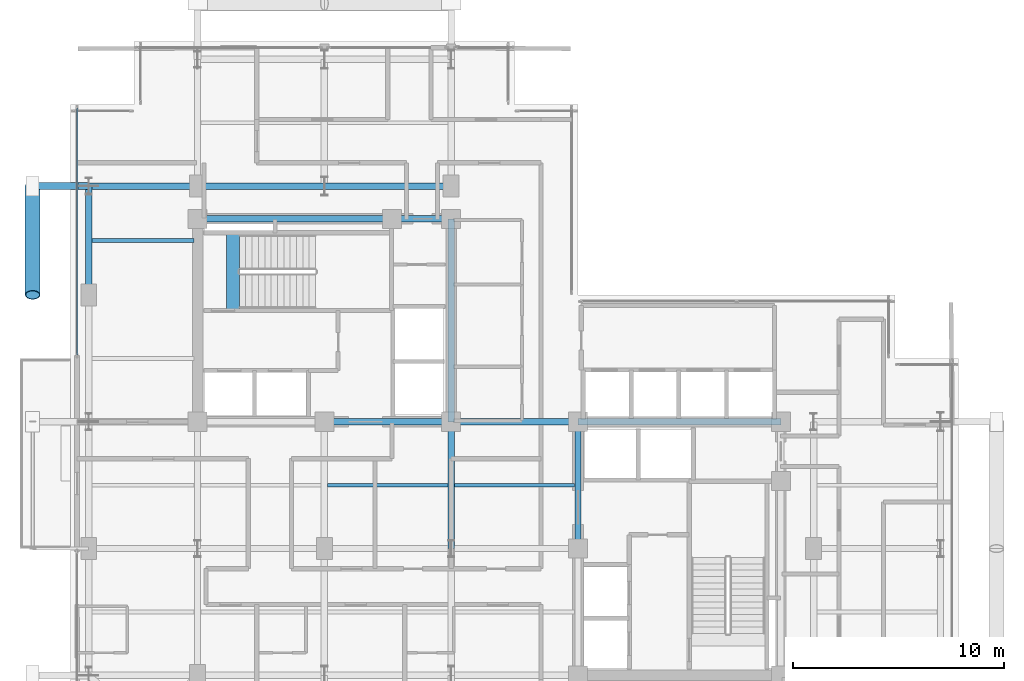
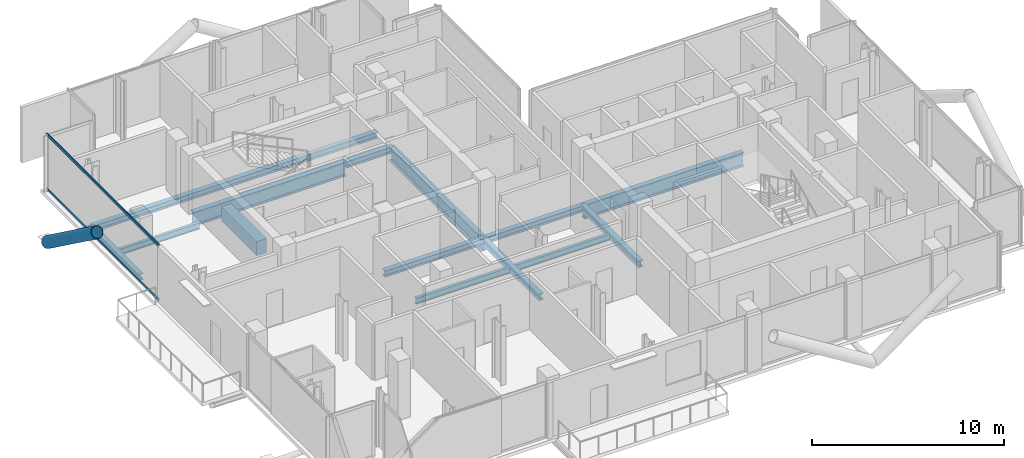
# One storey, part 8 of 22: 16 beams, 4 members, 1 element without a shape of its own.
"""IFC4 building model written with IfcOpenShell, lengths in metres."""

from ifc_helpers import new_model, si_unit, direction, frame, origin, origin_2d, place, context, subcontext, project, spatial, rectangle, hollow_rectangle, hollow_circle, i_section, extrude, material, layer, layer_set, material_profile, profile_set, type_object, element, aggregate, save


model = new_model("IFC4")

# Units and contexts
model_context = context("Model", 3, precision=1e-05, world=origin(), true_north=direction((0.0, 1.0)))
body_context = subcontext(model_context, "Body", "Model", "MODEL_VIEW")
ifc_project = project(units=[si_unit("LENGTHUNIT", "METRE"), si_unit("AREAUNIT", "SQUARE_METRE"), si_unit("VOLUMEUNIT", "CUBIC_METRE"), si_unit("PLANEANGLEUNIT", "RADIAN"), si_unit("MASSUNIT", "GRAM", prefix="KILO"), si_unit("THERMODYNAMICTEMPERATUREUNIT", "KELVIN"), si_unit("POWERUNIT", "WATT")], contexts=[model_context])

# Site, building, storey
site_placement = place(None, origin())
site = spatial("IfcSite", under=ifc_project, at=site_placement, CompositionType="ELEMENT")
building_placement = place(site_placement, origin())
building = spatial("IfcBuilding", under=site, at=building_placement, Name="Svarakhadi Broadcast Tower", CompositionType="ELEMENT")
storey_placement = place(building_placement, frame((0.0, 0.0, 172.949951171875)))
storey = spatial("IfcBuildingStorey", under=building, at=storey_placement, Name="L42", CompositionType="ELEMENT", Elevation=172.949951171875)

# Beams
ifc_material_1 = material(Name="Steel S355J2 (IS 2062 E350C)", Category="steel")
ifc_material_profile_1 = material_profile(ifc_material_1, i_section(OverallWidth=0.179931640625, OverallDepth=0.39990234375, WebThickness=0.008544921875, FlangeThickness=0.013427734375, FilletRadius=0.02099609375, at=origin_2d()), Name="NPB 400x180x66")
ifc_profile_set_1 = profile_set([ifc_material_profile_1], Name="Steel S355J2 (IS 2062 E350C)")
beam_type_1 = type_object("IfcBeamType", Name="Beam_NPB400", PredefinedType="BEAM", material=ifc_profile_set_1)
beam_1_placement = place(storey_placement, frame((1.010009765625, 26.574951171875, -0.409912109375), z_axis=(1.0, 0.0, 0.0), x_axis=(0.0, 1.0, 0.0)))
element("IfcBeam", 1, at=beam_1_placement, inside=storey, type_object=beam_type_1, Name="L42 Secondary Composite Beam SB004", PredefinedType="BEAM", context=body_context, shape_type="SweptSolid", body=[
    extrude(i_section(OverallWidth=0.179931640625, OverallDepth=0.39990234375, WebThickness=0.008544921875, FlangeThickness=0.013427734375, FilletRadius=0.02099609375, at=origin_2d()), origin(), (0.0, 0.0, 1.0), 4.830078125),
])
for number, where, z_axis, x_axis, name in (
    (2, (12.159912109375, 15.0, -0.409912109375), (1.0, 0.0, 0.0), (0.0, 1.0, 0.0), "L42 Secondary Composite Beam SB011"),
    (3, (18.159912109375, 15.0, -0.409912109375), (1.0, 0.0, 0.0), (0.0, 1.0, 0.0), "L42 Secondary Composite Beam SB015"),
):
    element("IfcBeam", number, at=place(storey_placement, frame(where, z_axis=z_axis, x_axis=x_axis)), inside=storey, type_object=beam_type_1, Name=name, PredefinedType="BEAM", context=body_context, shape_type="SweptSolid", body=[
        extrude(i_section(OverallWidth=0.179931640625, OverallDepth=0.39990234375, WebThickness=0.008544921875, FlangeThickness=0.013427734375, FilletRadius=0.02099609375, at=origin_2d()), origin(), (0.0, 0.0, 1.0), 5.68017578125),
    ])

# Curtain wall, members
ifc_material_2 = material(Name="Anodised Bronze Aluminium AA 6063-T6", Category="aluminium")
ifc_layer = layer(ifc_material_2, 0.18994140625)
ifc_layer_set = layer_set([ifc_layer], Name="Anodised Bronze Aluminium AA 6063-T6")
curtain_wall_type = type_object("IfcCurtainWallType", Name="CW_Sys_04", PredefinedType="NOTDEFINED", material=ifc_layer_set)
curtain_wall_placement = place(storey_placement, origin())
curtain_wall = element("IfcCurtainWall", 4, at=curtain_wall_placement, inside=storey, type_object=curtain_wall_type, Name="L42 West Curtain Wall 03", PredefinedType="NOTDEFINED")
ifc_material_profile_2 = material_profile(ifc_material_2, hollow_rectangle(XDim=0.06494140625, YDim=0.175048828125, WallThickness=0.0048828125, at=origin_2d()), Name="ALU TRANSOM 175x65x5")
ifc_profile_set_2 = profile_set([ifc_material_profile_2], Name="Anodised Bronze Aluminium AA 6063-T6")
member_type_1 = type_object("IfcMemberType", Name="CW_Sys_04_Trn", PredefinedType="USERDEFINED", material=ifc_profile_set_2)
member_1_placement = place(storey_placement, frame((0.300048828125, 21.159912109375, 0.032470703125), z_axis=(0.0, 1.0, 0.0), x_axis=(-1.0, 0.0, 0.0)))
member_1 = element("IfcMember", 5, at=member_1_placement, type_object=member_type_1, Name="CW-04 transom 1.1", ObjectType="TRANSOM", PredefinedType="USERDEFINED", context=body_context, shape_type="SweptSolid", body=[
    extrude(hollow_rectangle(XDim=0.06494140625, YDim=0.175048828125, WallThickness=0.0048828125, at=origin_2d()), origin(), (0.0, 0.0, 1.0), 11.68017578125),
])
member_2_placement = place(storey_placement, frame((0.300048828125, 21.159912109375, 3.507568359375), z_axis=(0.0, 1.0, 0.0), x_axis=(-1.0, 0.0, 0.0)))
member_2 = element("IfcMember", 6, at=member_2_placement, type_object=member_type_1, Name="CW-04 transom 1.2", ObjectType="TRANSOM", PredefinedType="USERDEFINED", context=body_context, shape_type="SweptSolid", body=[
    extrude(hollow_rectangle(XDim=0.06494140625, YDim=0.175048828125, WallThickness=0.0048828125, at=origin_2d()), origin(), (0.0, 0.0, 1.0), 11.68017578125),
])
aggregate(curtain_wall, [member_1, member_2])

# Beam
ifc_material_3 = material(Name="Concrete C50/60 (IS 456 M60)", Category="concrete")
ifc_material_profile_3 = material_profile(ifc_material_3, rectangle(XDim=0.60009765625, YDim=0.89990234375, at=origin_2d()), Name="RC 600x900")
ifc_profile_set_3 = profile_set([ifc_material_profile_3], Name="Concrete C50/60 (IS 456 M60)")
beam_type_2 = type_object("IfcBeamType", Name="Coupling_RC600", PredefinedType="USERDEFINED", material=ifc_profile_set_3)
beam_2_placement = place(storey_placement, frame((7.679931640625, 23.260009765625, -0.449951171875), z_axis=(0.0, 1.0, 0.0), x_axis=(-1.0, 0.0, 0.0)))
element("IfcBeam", 7, at=beam_2_placement, inside=storey, type_object=beam_type_2, Name="L42 Stair ST-01 Landing Throat Trimmer Beam CB-01", ObjectType="GIRDER", PredefinedType="USERDEFINED", context=body_context, shape_type="SweptSolid", body=[
    extrude(rectangle(XDim=0.60009765625, YDim=0.89990234375, at=origin_2d()), origin(), (0.0, 0.0, 1.0), 3.679931640625),
])

# Members
ifc_material_4 = material(Name="Steel S460ML (IS 2062 E450BR)", Category="steel")
ifc_material_profile_4 = material_profile(ifc_material_4, hollow_circle(Radius=0.35546875, WallThickness=0.034912109375, at=origin_2d()), Name="CHS 711x35")
ifc_profile_set_4 = profile_set([ifc_material_profile_4], Name="Steel S460ML (IS 2062 E450BR)")
member_type_2 = type_object("IfcMemberType", Name="Exo_Brace_CHS711", PredefinedType="BRACE", material=ifc_profile_set_4)
member_3_placement = place(storey_placement, frame((-1.800048828125, 29.14990234375, -0.371826171875), z_axis=(0.0, -0.808391243061, 0.588645562407), x_axis=(1.0, 0.0, 0.0)))
element("IfcMember", 8, at=member_3_placement, inside=storey, type_object=member_type_2, Name="L42 Exposed Bronze Exoskeleton Diagonal W03", PredefinedType="BRACE", context=body_context, shape_type="SweptSolid", body=[
    extrude(hollow_circle(Radius=0.35546875, WallThickness=0.034912109375, at=origin_2d()), origin(), (0.0, 0.0, 1.0), 6.37060546875),
])
ifc_material_profile_5 = material_profile(ifc_material_4, hollow_circle(Radius=0.161865234375, WallThickness=0.01611328125, at=origin_2d()), Name="CHS 323.9x16")
ifc_profile_set_5 = profile_set([ifc_material_profile_5], Name="Steel S460ML (IS 2062 E450BR)")
member_type_3 = type_object("IfcMemberType", Name="Exo_Radial_Strut_Z2", PredefinedType="STRUT", material=ifc_profile_set_5)
member_4_placement = place(storey_placement, frame((-1.800048828125, 29.14990234375, -0.371826171875), z_axis=(1.0, 0.0, 0.0), x_axis=(0.0, 1.0, 0.0)))
element("IfcMember", 9, at=member_4_placement, inside=storey, type_object=member_type_3, Name="L42 Exoskeleton Radial Tie Strut W06", PredefinedType="STRUT", context=body_context, shape_type="SweptSolid", body=[
    extrude(hollow_circle(Radius=0.161865234375, WallThickness=0.01611328125, at=origin_2d()), origin(), (0.0, 0.0, 1.0), 2.650146484375),
])

# Beams
ifc_material_profile_6 = material_profile(ifc_material_1, i_section(OverallWidth=0.300048828125, OverallDepth=0.39990234375, WebThickness=0.013427734375, FlangeThickness=0.02392578125, FilletRadius=0.027099609375, at=origin_2d()), Name="WPB 400x300x155")
ifc_profile_set_6 = profile_set([ifc_material_profile_6], Name="Steel S355J2 (IS 2062 E350C)")
beam_type_3 = type_object("IfcBeamType", Name="Girder_WPB400", PredefinedType="USERDEFINED", material=ifc_profile_set_6)
for number, where, z_axis, x_axis, name in (
    (10, (12.0, 18.0, -0.409912109375), (1.0, 0.0, 0.0), (0.0, 1.0, 0.0), "L42 Primary E-W Girder G022"),
    (11, (18.0, 18.0, -0.409912109375), (1.0, 0.0, 0.0), (0.0, 1.0, 0.0), "L42 Primary E-W Girder G023"),
):
    element("IfcBeam", number, at=place(storey_placement, frame(where, z_axis=z_axis, x_axis=x_axis)), inside=storey, type_object=beam_type_3, Name=name, ObjectType="GIRDER", PredefinedType="USERDEFINED", context=body_context, shape_type="SweptSolid", body=[
        extrude(i_section(OverallWidth=0.300048828125, OverallDepth=0.39990234375, WebThickness=0.013427734375, FlangeThickness=0.02392578125, FilletRadius=0.027099609375, at=origin_2d()), origin(), (0.0, 0.0, 1.0), 6.0),
    ])
beam_3_placement = place(storey_placement, frame((15.199951171875, 27.60009765625, -0.409912109375), z_axis=(1.0, 0.0, 0.0), x_axis=(0.0, 1.0, 0.0)))
element("IfcBeam", 12, at=beam_3_placement, inside=storey, type_object=beam_type_3, Name="L42 Primary E-W Girder G027", ObjectType="GIRDER", PredefinedType="USERDEFINED", context=body_context, shape_type="SweptSolid", body=[
    extrude(i_section(OverallWidth=0.300048828125, OverallDepth=0.39990234375, WebThickness=0.013427734375, FlangeThickness=0.02392578125, FilletRadius=0.027099609375, at=origin_2d()), origin(), (0.0, 0.0, 1.0), 2.800048828125),
])
beam_4_placement = place(storey_placement, frame((0.85009765625, 29.14990234375, -0.409912109375), z_axis=(1.0, 0.0, 0.0), x_axis=(0.0, 1.0, 0.0)))
element("IfcBeam", 13, at=beam_4_placement, inside=storey, type_object=beam_type_3, Name="L42 Primary E-W Girder G028", ObjectType="GIRDER", PredefinedType="USERDEFINED", context=body_context, shape_type="SweptSolid", body=[
    extrude(i_section(OverallWidth=0.300048828125, OverallDepth=0.39990234375, WebThickness=0.013427734375, FlangeThickness=0.02392578125, FilletRadius=0.027099609375, at=origin_2d()), origin(), (0.0, 0.0, 1.0), 5.14990234375),
])
for number, where, z_axis, x_axis, name in (
    (14, (6.0, 29.14990234375, -0.409912109375), (1.0, 0.0, 0.0), (0.0, 1.0, 0.0), "L42 Primary E-W Girder G029"),
    (15, (12.0, 29.14990234375, -0.409912109375), (1.0, 0.0, 0.0), (0.0, 1.0, 0.0), "L42 Primary E-W Girder G030"),
):
    element("IfcBeam", number, at=place(storey_placement, frame(where, z_axis=z_axis, x_axis=x_axis)), inside=storey, type_object=beam_type_3, Name=name, ObjectType="GIRDER", PredefinedType="USERDEFINED", context=body_context, shape_type="SweptSolid", body=[
        extrude(i_section(OverallWidth=0.300048828125, OverallDepth=0.39990234375, WebThickness=0.013427734375, FlangeThickness=0.02392578125, FilletRadius=0.027099609375, at=origin_2d()), origin(), (0.0, 0.0, 1.0), 6.0),
    ])
beam_5_placement = place(storey_placement, frame((0.85009765625, 24.0, -0.409912109375), z_axis=(0.0, 1.0, 0.0), x_axis=(-1.0, 0.0, 0.0)))
element("IfcBeam", 16, at=beam_5_placement, inside=storey, type_object=beam_type_3, Name="L42 Primary N-S Girder G036", ObjectType="GIRDER", PredefinedType="USERDEFINED", context=body_context, shape_type="SweptSolid", body=[
    extrude(i_section(OverallWidth=0.300048828125, OverallDepth=0.39990234375, WebThickness=0.013427734375, FlangeThickness=0.02392578125, FilletRadius=0.027099609375, at=origin_2d()), origin(), (0.0, 0.0, 1.0), 5.14990234375),
])
for number, where, z_axis, x_axis, name in (
    (17, (18.0, 12.0, -0.409912109375), (0.0, 1.0, 0.0), (-1.0, 0.0, 0.0), "L42 Primary N-S Girder G048"),
    (18, (24.0, 12.0, -0.409912109375), (0.0, 1.0, 0.0), (-1.0, 0.0, 0.0), "L42 Primary N-S Girder G053"),
):
    element("IfcBeam", number, at=place(storey_placement, frame(where, z_axis=z_axis, x_axis=x_axis)), inside=storey, type_object=beam_type_3, Name=name, ObjectType="GIRDER", PredefinedType="USERDEFINED", context=body_context, shape_type="SweptSolid", body=[
        extrude(i_section(OverallWidth=0.300048828125, OverallDepth=0.39990234375, WebThickness=0.013427734375, FlangeThickness=0.02392578125, FilletRadius=0.027099609375, at=origin_2d()), origin(), (0.0, 0.0, 1.0), 6.0),
    ])
ifc_material_profile_7 = material_profile(ifc_material_4, i_section(OverallWidth=0.300048828125, OverallDepth=0.89990234375, WebThickness=0.0185546875, FlangeThickness=0.034912109375, FilletRadius=0.030029296875, at=origin_2d()), Name="WPB 900x300x291")
ifc_profile_set_7 = profile_set([ifc_material_profile_7], Name="Steel S460ML (IS 2062 E450BR)")
beam_type_4 = type_object("IfcBeamType", Name="Girder_WPB900", PredefinedType="USERDEFINED", material=ifc_profile_set_7)
beam_6_placement = place(storey_placement, frame((24.0, 18.0, -0.659912109375), z_axis=(1.0, 0.0, 0.0), x_axis=(0.0, 1.0, 0.0)))
element("IfcBeam", 19, at=beam_6_placement, inside=storey, type_object=beam_type_4, Name="L42 Primary E-W Girder G024", ObjectType="GIRDER", PredefinedType="USERDEFINED", context=body_context, shape_type="SweptSolid", body=[
    extrude(i_section(OverallWidth=0.300048828125, OverallDepth=0.89990234375, WebThickness=0.0185546875, FlangeThickness=0.034912109375, FilletRadius=0.030029296875, at=origin_2d()), origin(), (0.0, 0.0, 1.0), 9.60009765625),
])
beam_7_placement = place(storey_placement, frame((6.0, 27.60009765625, -0.659912109375), z_axis=(1.0, 0.0, 0.0), x_axis=(0.0, 1.0, 0.0)))
element("IfcBeam", 20, at=beam_7_placement, inside=storey, type_object=beam_type_4, Name="L42 Primary E-W Girder G026", ObjectType="GIRDER", PredefinedType="USERDEFINED", context=body_context, shape_type="SweptSolid", body=[
    extrude(i_section(OverallWidth=0.300048828125, OverallDepth=0.89990234375, WebThickness=0.0185546875, FlangeThickness=0.034912109375, FilletRadius=0.030029296875, at=origin_2d()), origin(), (0.0, 0.0, 1.0), 9.199951171875),
])
beam_8_placement = place(storey_placement, frame((18.0, 18.0, -0.659912109375), z_axis=(0.0, 1.0, 0.0), x_axis=(-1.0, 0.0, 0.0)))
element("IfcBeam", 21, at=beam_8_placement, inside=storey, type_object=beam_type_4, Name="L42 Primary N-S Girder G049", ObjectType="GIRDER", PredefinedType="USERDEFINED", context=body_context, shape_type="SweptSolid", body=[
    extrude(i_section(OverallWidth=0.300048828125, OverallDepth=0.89990234375, WebThickness=0.0185546875, FlangeThickness=0.034912109375, FilletRadius=0.030029296875, at=origin_2d()), origin(), (0.0, 0.0, 1.0), 9.60009765625),
])

save(model, "model.ifc")
